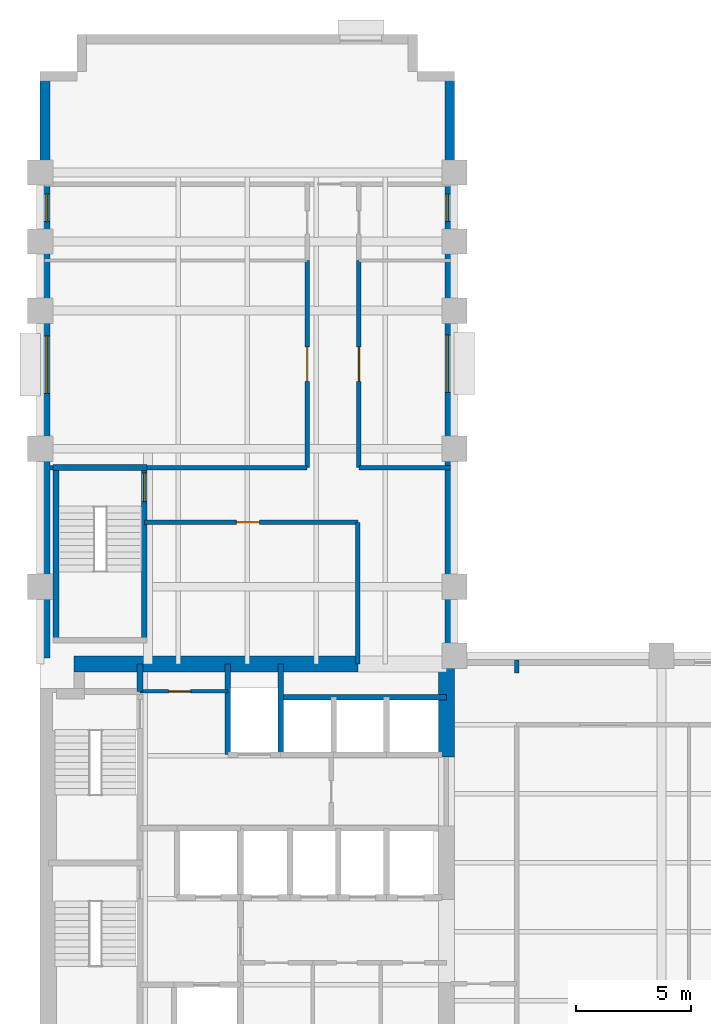
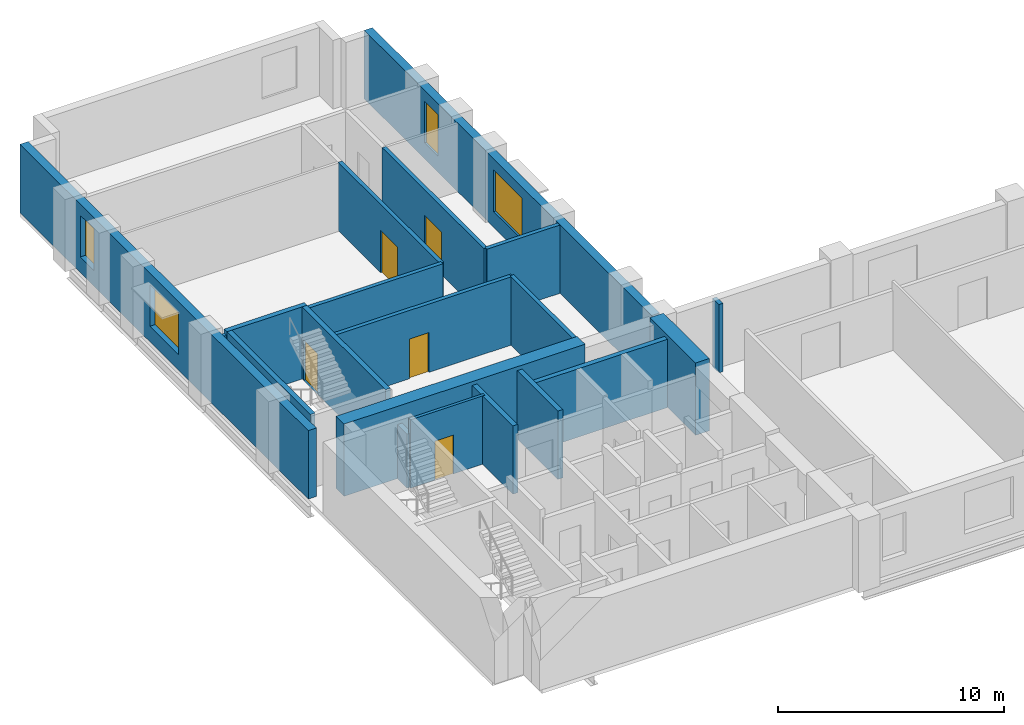
# One storey, part 4 of 8: 20 walls, 5 doors, 4 windows, 9 openings.
"""IFC4 building model written with IfcOpenShell, lengths in metres."""

from ifc_helpers import new_model, si_unit, direction, frame, frame_2d, origin, place, context, subcontext, project, spatial, rectangle, extrude, material, layer, layer_set, type_object, element, fill, save


model = new_model("IFC4")

# Units and contexts
model_context = context("Model", 3, precision=1e-05, world=origin(), true_north=direction((0.0, 1.0)))
body_context = subcontext(model_context, "Body", "Model", "MODEL_VIEW")
ifc_project = project(units=[si_unit("LENGTHUNIT", "METRE"), si_unit("AREAUNIT", "SQUARE_METRE"), si_unit("VOLUMEUNIT", "CUBIC_METRE"), si_unit("PLANEANGLEUNIT", "RADIAN"), si_unit("MASSUNIT", "GRAM", prefix="KILO")], contexts=[model_context])

# Site, building, storey
site_placement = place(None, origin())
site = spatial("IfcSite", under=ifc_project, at=site_placement, CompositionType="ELEMENT")
building_placement = place(site_placement, origin())
building = spatial("IfcBuilding", under=site, at=building_placement, Name="Mawjdan Bourse Tower", CompositionType="ELEMENT")
storey_placement = place(building_placement, frame((0.0, 0.0, 97.199951171875)))
storey = spatial("IfcBuildingStorey", under=building, at=storey_placement, Name="L22", CompositionType="ELEMENT", Elevation=97.199951171875)

# Wall, openings, windows
ifc_material_1 = material(Name="Brick Masonry Buff", Category="masonry")
ifc_layer_1 = layer(ifc_material_1, 0.419921875)
ifc_layer_set_1 = layer_set([ifc_layer_1], Name="Brick Masonry Buff")
wall_type_1 = type_object("IfcWallType", Name="WL-BRK-BUFF-420", PredefinedType="STANDARD", material=ifc_layer_set_1)
wall_1_placement = place(storey_placement, frame((23.7900390625, 21.0, 0.0), z_axis=(0.0, 0.0, 1.0), x_axis=(0.0, 1.0, 0.0)))
wall_1 = element("IfcWall", 1, at=wall_1_placement, inside=storey, type_object=wall_type_1, Name="L22 Exterior Brick Wall 8", PredefinedType="STANDARD", context=body_context, shape_type="SweptSolid", body=[
    extrude(rectangle(XDim=25.39990234375, YDim=0.419921875, at=frame_2d((12.699951171875, 0.0))), origin(), (0.0, 0.0, 1.0), 3.699951171875),
])
opening_1_placement = place(wall_1_placement, frame((11.449951171875, 0.0, 0.85009765625)))
opening_1 = element("IfcOpeningElement", 2, at=opening_1_placement, cuts=wall_1, Name="Opening W-L22-06", PredefinedType="OPENING", context=body_context, shape_type="SweptSolid", body=[
    extrude(rectangle(XDim=2.5, YDim=2.25, at=frame_2d((1.25, 1.125))), frame((0.0, 0.219970703125, 0.0), z_axis=(0.0, -1.0, 0.0), x_axis=(1.0, 0.0, 0.0)), (0.0, 0.0, 1.0), 0.43994140625),
])
opening_2_placement = place(wall_1_placement, frame((18.8662109375, 0.0, 0.85009765625)))
opening_2 = element("IfcOpeningElement", 3, at=opening_2_placement, cuts=wall_1, Name="Opening W-L22-14", PredefinedType="OPENING", context=body_context, shape_type="SweptSolid", body=[
    extrude(rectangle(XDim=1.199951171875, YDim=2.25, at=frame_2d((0.60009765625, 1.125))), frame((0.0, 0.219970703125, 0.0), z_axis=(0.0, -1.0, 0.0), x_axis=(1.0, 0.0, 0.0)), (0.0, 0.0, 1.0), 0.43994140625),
])
ifc_material_2 = material(Name="Solar-Control Clear Double Glazing", Category="glass")
window_type_1 = type_object("IfcWindowType", Name="WN-Z2-1200", PartitioningType="SINGLE_PANEL", PredefinedType="WINDOW", material=ifc_material_2)
window_1_placement = place(opening_2_placement, origin())
window_1 = element("IfcWindow", 4, at=window_1_placement, inside=storey, type_object=window_type_1, Name="L22 Deep-Set Masonry Window W-L22-14", OverallHeight=2.25, OverallWidth=1.199951171875, PartitioningType="SINGLE_PANEL", PredefinedType="WINDOW", context=body_context, shape_type="SweptSolid", body=[
    extrude(rectangle(XDim=1.199951171875, YDim=2.25, at=frame_2d((0.60009765625, 1.125))), frame((0.0, 0.110107421875, 0.0), z_axis=(0.0, -1.0, 0.0), x_axis=(1.0, 0.0, 0.0)), (0.0, 0.0, 1.0), 0.06005859375),
])
fill(opening_2, window_1)
window_type_2 = type_object("IfcWindowType", Name="WN-Z2-2500", PartitioningType="SINGLE_PANEL", PredefinedType="WINDOW", material=ifc_material_2)
window_2_placement = place(opening_1_placement, origin())
window_2 = element("IfcWindow", 5, at=window_2_placement, inside=storey, type_object=window_type_2, Name="L22 Deep-Set Masonry Window W-L22-06", OverallHeight=2.25, OverallWidth=2.5, PartitioningType="SINGLE_PANEL", PredefinedType="WINDOW", context=body_context, shape_type="SweptSolid", body=[
    extrude(rectangle(XDim=2.5, YDim=2.25, at=frame_2d((1.25, 1.125))), frame((0.0, 0.110107421875, 0.0), z_axis=(0.0, -1.0, 0.0), x_axis=(1.0, 0.0, 0.0)), (0.0, 0.0, 1.0), 0.06005859375),
])
fill(opening_1, window_2)

wall_2_placement = place(storey_placement, frame((6.2099609375, 46.39990234375, 0.0), z_axis=(0.0, 0.0, 1.0), x_axis=(0.0, -1.0, 0.0)))
wall_2 = element("IfcWall", 6, at=wall_2_placement, inside=storey, type_object=wall_type_1, Name="L22 Exterior Brick Wall 14", PredefinedType="STANDARD", context=body_context, shape_type="SweptSolid", body=[
    extrude(rectangle(XDim=25.5, YDim=0.419921875, at=frame_2d((12.75, 0.0))), origin(), (0.0, 0.0, 1.0), 3.699951171875),
])
opening_3_placement = place(wall_2_placement, frame((11.5, 0.0, 0.85009765625)))
opening_3 = element("IfcOpeningElement", 7, at=opening_3_placement, cuts=wall_2, Name="Opening W-L22-08", PredefinedType="OPENING", context=body_context, shape_type="SweptSolid", body=[
    extrude(rectangle(XDim=2.5, YDim=2.25, at=frame_2d((1.25, 1.125))), frame((0.0, 0.219970703125, 0.0), z_axis=(0.0, -1.0, 0.0), x_axis=(1.0, 0.0, 0.0)), (0.0, 0.0, 1.0), 0.43994140625),
])
opening_4_placement = place(wall_2_placement, frame((5.336181640625, 0.0, 0.85009765625)))
opening_4 = element("IfcOpeningElement", 8, at=opening_4_placement, cuts=wall_2, Name="Opening W-L22-13", PredefinedType="OPENING", context=body_context, shape_type="SweptSolid", body=[
    extrude(rectangle(XDim=1.199951171875, YDim=2.25, at=frame_2d((0.60009765625, 1.125))), frame((0.0, 0.219970703125, 0.0), z_axis=(0.0, -1.0, 0.0), x_axis=(1.0, 0.0, 0.0)), (0.0, 0.0, 1.0), 0.43994140625),
])
window_3_placement = place(opening_4_placement, origin())
window_3 = element("IfcWindow", 9, at=window_3_placement, inside=storey, type_object=window_type_1, Name="L22 Deep-Set Masonry Window W-L22-13", OverallHeight=2.25, OverallWidth=1.199951171875, PartitioningType="SINGLE_PANEL", PredefinedType="WINDOW", context=body_context, shape_type="SweptSolid", body=[
    extrude(rectangle(XDim=1.199951171875, YDim=2.25, at=frame_2d((0.60009765625, 1.125))), frame((0.0, 0.110107421875, 0.0), z_axis=(0.0, -1.0, 0.0), x_axis=(1.0, 0.0, 0.0)), (0.0, 0.0, 1.0), 0.06005859375),
])
fill(opening_4, window_3)
window_4_placement = place(opening_3_placement, origin())
window_4 = element("IfcWindow", 10, at=window_4_placement, inside=storey, type_object=window_type_2, Name="L22 Deep-Set Masonry Window W-L22-08", OverallHeight=2.25, OverallWidth=2.5, PartitioningType="SINGLE_PANEL", PredefinedType="WINDOW", context=body_context, shape_type="SweptSolid", body=[
    extrude(rectangle(XDim=2.5, YDim=2.25, at=frame_2d((1.25, 1.125))), frame((0.0, 0.110107421875, 0.0), z_axis=(0.0, -1.0, 0.0), x_axis=(1.0, 0.0, 0.0)), (0.0, 0.0, 1.0), 0.06005859375),
])
fill(opening_3, window_4)

# Wall
ifc_material_3 = material(Name="Gypsum Fireboard Assembly")
ifc_layer_2 = layer(ifc_material_3, 0.199951171875)
ifc_layer_set_2 = layer_set([ifc_layer_2], Name="Gypsum Fireboard Assembly")
wall_type_2 = type_object("IfcWallType", Name="WL-CMP-200", PredefinedType="PARTITIONING", material=ifc_layer_set_2)
wall_3_placement = place(storey_placement, frame((26.699951171875, 20.25, 0.0), z_axis=(0.0, 0.0, 1.0), x_axis=(0.0, 1.0, 0.0)))
element("IfcWall", 11, at=wall_3_placement, inside=storey, type_object=wall_type_2, Name="L22 Vestibule North East Wall", PredefinedType="PARTITIONING", context=body_context, shape_type="SweptSolid", body=[
    extrude(rectangle(XDim=0.570068359375, YDim=0.199951171875, at=frame_2d((0.28515625, 0.0))), origin(), (0.0, 0.0, 1.0), 3.68994140625),
])

# Wall, opening, door
wall_4_placement = place(storey_placement, frame((10.52001953125, 26.800048828125, 0.0), z_axis=(0.0, 0.0, 1.0), x_axis=(1.0, 0.0, 0.0)))
wall_4 = element("IfcWall", 12, at=wall_4_placement, inside=storey, type_object=wall_type_2, Name="L22 North Throat North Wall", PredefinedType="PARTITIONING", context=body_context, shape_type="SweptSolid", body=[
    extrude(rectangle(XDim=9.280029296875, YDim=0.199951171875, at=frame_2d((4.64013671875, 0.0))), origin(), (0.0, 0.0, 1.0), 3.68994140625),
])
opening_5_placement = place(wall_4_placement, frame((4.0, 0.0, 0.0)))
opening_5 = element("IfcOpeningElement", 13, at=opening_5_placement, cuts=wall_4, Name="Opening D-L22-26", PredefinedType="OPENING", context=body_context, shape_type="SweptSolid", body=[
    extrude(rectangle(XDim=1.0, YDim=2.14990234375, at=frame_2d((0.5, 1.074951171875))), frame((0.0, 0.10986328125, 0.0), z_axis=(0.0, -1.0, 0.0), x_axis=(1.0, 0.0, 0.0)), (0.0, 0.0, 1.0), 0.219970703125),
])
ifc_material_4 = material(Name="Hardwood Acoustic Leaf", Category="wood")
door_type_1 = type_object("IfcDoorType", Name="DR-OFC-1000", OperationType="NOTDEFINED", PredefinedType="DOOR", material=ifc_material_4)
door_1_placement = place(opening_5_placement, origin())
door_1 = element("IfcDoor", 14, at=door_1_placement, inside=storey, type_object=door_type_1, Name="L22 North Throat Suite Door D-L22-26", OperationType="SINGLE_SWING_LEFT", OverallHeight=2.14990234375, OverallWidth=1.0, PredefinedType="DOOR", context=body_context, shape_type="SweptSolid", body=[
    extrude(rectangle(XDim=1.0, YDim=2.14990234375, at=frame_2d((0.5, 1.074951171875))), frame((0.0, 0.02490234375, 0.0), z_axis=(0.0, -1.0, 0.0), x_axis=(1.0, 0.0, 0.0)), (0.0, 0.0, 1.0), 0.050048828125),
])
fill(opening_5, door_1)

# Walls
wall_5_placement = place(storey_placement, frame((19.800048828125, 20.64990234375, 0.0), z_axis=(0.0, 0.0, 1.0), x_axis=(0.0, 1.0, 0.0)))
element("IfcWall", 15, at=wall_5_placement, inside=storey, type_object=wall_type_2, Name="L22 North Throat East Wall", PredefinedType="PARTITIONING", context=body_context, shape_type="SweptSolid", body=[
    extrude(rectangle(XDim=6.150146484375, YDim=0.199951171875, at=frame_2d((3.0751953125, 0.0))), origin(), (0.0, 0.0, 1.0), 3.68994140625),
])
wall_6_placement = place(storey_placement, frame((6.419921875, 29.179931640625, 0.0), z_axis=(0.0, 0.0, 1.0), x_axis=(1.0, 0.0, 0.0)))
element("IfcWall", 16, at=wall_6_placement, inside=storey, type_object=wall_type_2, Name="L22 North West Band ST3 West Return", PredefinedType="PARTITIONING", context=body_context, shape_type="SweptSolid", body=[
    extrude(rectangle(XDim=0.135009765625, YDim=0.199951171875, at=frame_2d((0.0673828125, 0.0))), origin(), (0.0, 0.0, 1.0), 3.68994140625),
])
wall_7_placement = place(storey_placement, frame((10.6298828125, 29.179931640625, 0.0), z_axis=(0.0, 0.0, 1.0), x_axis=(1.0, 0.0, 0.0)))
element("IfcWall", 17, at=wall_7_placement, inside=storey, type_object=wall_type_2, Name="L22 North West Band South Wall", PredefinedType="PARTITIONING", context=body_context, shape_type="SweptSolid", body=[
    extrude(rectangle(XDim=6.97021484375, YDim=0.199951171875, at=frame_2d((3.485107421875, 0.0))), origin(), (0.0, 0.0, 1.0), 3.68994140625),
])
wall_8_placement = place(storey_placement, frame((19.85009765625, 29.179931640625, 0.0), z_axis=(0.0, 0.0, 1.0), x_axis=(1.0, 0.0, 0.0)))
element("IfcWall", 18, at=wall_8_placement, inside=storey, type_object=wall_type_2, Name="L22 North East Band South Wall", PredefinedType="PARTITIONING", context=body_context, shape_type="SweptSolid", body=[
    extrude(rectangle(XDim=3.969970703125, YDim=0.199951171875, at=frame_2d((1.98486328125, 0.0))), origin(), (0.0, 0.0, 1.0), 3.68994140625),
])

# Wall, opening, door
wall_9_placement = place(storey_placement, frame((17.60009765625, 29.179931640625, 0.0), z_axis=(0.0, 0.0, 1.0), x_axis=(0.0, 1.0, 0.0)))
wall_9 = element("IfcWall", 19, at=wall_9_placement, inside=storey, type_object=wall_type_2, Name="L22 Conference Room Corridor Wall", PredefinedType="PARTITIONING", context=body_context, shape_type="SweptSolid", body=[
    extrude(rectangle(XDim=9.0, YDim=0.199951171875, at=frame_2d((4.5, 0.0))), origin(), (0.0, 0.0, 1.0), 3.68994140625),
])
opening_6_placement = place(wall_9_placement, frame((3.75, 0.0, 0.0)))
opening_6 = element("IfcOpeningElement", 20, at=opening_6_placement, cuts=wall_9, Name="Opening D-L22-27", PredefinedType="OPENING", context=body_context, shape_type="SweptSolid", body=[
    extrude(rectangle(XDim=1.5, YDim=2.300048828125, at=frame_2d((0.75, 1.14990234375))), frame((0.0, 0.10986328125, 0.0), z_axis=(0.0, -1.0, 0.0), x_axis=(1.0, 0.0, 0.0)), (0.0, 0.0, 1.0), 0.219970703125),
])
ifc_material_5 = material(Name="Acoustic Glazed Timber", Category="wood")
door_type_2 = type_object("IfcDoorType", Name="DR-CNF-1500", OperationType="DOUBLE_DOOR_SINGLE_SWING", PredefinedType="DOOR", material=ifc_material_5)
door_2_placement = place(opening_6_placement, origin())
door_2 = element("IfcDoor", 21, at=door_2_placement, inside=storey, type_object=door_type_2, Name="L22 Conference Room Door D-L22-27", OperationType="DOUBLE_DOOR_SINGLE_SWING", OverallHeight=2.300048828125, OverallWidth=1.5, PredefinedType="DOOR", context=body_context, shape_type="SweptSolid", body=[
    extrude(rectangle(XDim=1.5, YDim=2.300048828125, at=frame_2d((0.75, 1.14990234375))), frame((0.0, 0.02490234375, 0.0), z_axis=(0.0, -1.0, 0.0), x_axis=(1.0, 0.0, 0.0)), (0.0, 0.0, 1.0), 0.050048828125),
])
fill(opening_6, door_2)

wall_10_placement = place(storey_placement, frame((19.85009765625, 29.179931640625, 0.0), z_axis=(0.0, 0.0, 1.0), x_axis=(0.0, 1.0, 0.0)))
wall_10 = element("IfcWall", 22, at=wall_10_placement, inside=storey, type_object=wall_type_2, Name="L22 Private Banking Suite Corridor Wall", PredefinedType="PARTITIONING", context=body_context, shape_type="SweptSolid", body=[
    extrude(rectangle(XDim=9.0, YDim=0.199951171875, at=frame_2d((4.5, 0.0))), origin(), (0.0, 0.0, 1.0), 3.68994140625),
])
opening_7_placement = place(wall_10_placement, frame((3.75, 0.0, 0.0)))
opening_7 = element("IfcOpeningElement", 23, at=opening_7_placement, cuts=wall_10, Name="Opening D-L22-29", PredefinedType="OPENING", context=body_context, shape_type="SweptSolid", body=[
    extrude(rectangle(XDim=1.5, YDim=2.300048828125, at=frame_2d((0.75, 1.14990234375))), frame((0.0, 0.10986328125, 0.0), z_axis=(0.0, -1.0, 0.0), x_axis=(1.0, 0.0, 0.0)), (0.0, 0.0, 1.0), 0.219970703125),
])
door_3_placement = place(opening_7_placement, origin())
door_3 = element("IfcDoor", 24, at=door_3_placement, inside=storey, type_object=door_type_2, Name="L22 Private Banking Suite Door D-L22-29", OperationType="DOUBLE_DOOR_SINGLE_SWING", OverallHeight=2.300048828125, OverallWidth=1.5, PredefinedType="DOOR", context=body_context, shape_type="SweptSolid", body=[
    extrude(rectangle(XDim=1.5, YDim=2.300048828125, at=frame_2d((0.75, 1.14990234375))), frame((0.0, 0.02490234375, 0.0), z_axis=(0.0, -1.0, 0.0), x_axis=(1.0, 0.0, 0.0)), (0.0, 0.0, 1.0), 0.050048828125),
])
fill(opening_7, door_3)

# Walls
ifc_material_6 = material(Name="Concrete C70/85", Category="concrete")
ifc_layer_3 = layer(ifc_material_6, 0.699951171875)
ifc_layer_set_3 = layer_set([ifc_layer_3], Name="Concrete C70/85")
wall_type_3 = type_object("IfcWallType", Name="WL-CORE-700", PredefinedType="SHEAR", material=ifc_layer_set_3)
wall_11_placement = place(storey_placement, frame((7.47509765625, 20.64990234375, 0.0), z_axis=(0.0, 0.0, 1.0), x_axis=(1.0, 0.0, 0.0)))
element("IfcWall", 25, at=wall_11_placement, inside=storey, type_object=wall_type_3, Name="L22 Rear Core Shear Wall N", PredefinedType="SHEAR", context=body_context, shape_type="SweptSolid", body=[
    extrude(rectangle(XDim=12.324951171875, YDim=0.699951171875, at=frame_2d((6.16259765625, 0.0))), origin(), (0.0, 0.0, 1.0), 3.900146484375),
])
wall_12_placement = place(storey_placement, frame((23.64990234375, 16.60009765625, 0.0), z_axis=(0.0, 0.0, 1.0), x_axis=(0.0, 1.0, 0.0)))
element("IfcWall", 26, at=wall_12_placement, inside=storey, type_object=wall_type_3, Name="L22 Rear Core Shear Wall E3", PredefinedType="SHEAR", context=body_context, shape_type="SweptSolid", body=[
    extrude(rectangle(XDim=4.0498046875, YDim=0.699951171875, at=frame_2d((2.02490234375, 0.0))), origin(), (0.0, 0.0, 1.0), 3.900146484375),
])

# Wall, opening, door
ifc_material_7 = material(Name="Gypsum Acoustic Partition")
ifc_layer_4 = layer(ifc_material_7, 0.14990234375)
ifc_layer_set_4 = layer_set([ifc_layer_4], Name="Gypsum Acoustic Partition")
wall_type_4 = type_object("IfcWallType", Name="WL-PRT-150", PredefinedType="PARTITIONING", material=ifc_layer_set_4)
wall_13_placement = place(storey_placement, frame((10.330078125, 19.449951171875, 0.0), z_axis=(0.0, 0.0, 1.0), x_axis=(1.0, 0.0, 0.0)))
wall_13 = element("IfcWall", 27, at=wall_13_placement, inside=storey, type_object=wall_type_4, Name="L22 Housekeeping South Wall", PredefinedType="PARTITIONING", context=body_context, shape_type="SweptSolid", body=[
    extrude(rectangle(XDim=3.81982421875, YDim=0.14990234375, at=frame_2d((1.909912109375, 0.0))), origin(), (0.0, 0.0, 1.0), 3.68994140625),
])
opening_8_placement = place(wall_13_placement, frame((1.25, 0.0, 0.0)))
opening_8 = element("IfcOpeningElement", 28, at=opening_8_placement, cuts=wall_13, Name="Opening D-L22-18", PredefinedType="OPENING", context=body_context, shape_type="SweptSolid", body=[
    extrude(rectangle(XDim=0.949951171875, YDim=2.10009765625, at=frame_2d((0.47509765625, 1.050048828125))), frame((0.0, 0.0849609375, 0.0), z_axis=(0.0, -1.0, 0.0), x_axis=(1.0, 0.0, 0.0)), (0.0, 0.0, 1.0), 0.169921875),
])
ifc_material_8 = material(Name="Moisture-Resistant Laminate Timber", Category="wood")
door_type_3 = type_object("IfcDoorType", Name="DR-WET-0950", OperationType="NOTDEFINED", PredefinedType="DOOR", material=ifc_material_8)
door_4_placement = place(opening_8_placement, origin())
door_4 = element("IfcDoor", 29, at=door_4_placement, inside=storey, type_object=door_type_3, Name="L22 Housekeeping Closet Door D-L22-18", OperationType="SINGLE_SWING_LEFT", OverallHeight=2.10009765625, OverallWidth=0.949951171875, PredefinedType="DOOR", context=body_context, shape_type="SweptSolid", body=[
    extrude(rectangle(XDim=0.949951171875, YDim=2.10009765625, at=frame_2d((0.47509765625, 1.050048828125))), frame((0.0, 0.02490234375, 0.0), z_axis=(0.0, -1.0, 0.0), x_axis=(1.0, 0.0, 0.0)), (0.0, 0.0, 1.0), 0.050048828125),
])
fill(opening_8, door_4)

# Walls
ifc_material_9 = material(Name="Concrete C50/60", Category="concrete")
ifc_layer_5 = layer(ifc_material_9, 0.25)
ifc_layer_set_5 = layer_set([ifc_layer_5], Name="Concrete C50/60")
wall_type_5 = type_object("IfcWallType", Name="WL-SHFT-250", PredefinedType="PARTITIONING", material=ifc_layer_set_5)
wall_14_placement = place(storey_placement, frame((10.330078125, 19.449951171875, 0.0), z_axis=(0.0, 0.0, 1.0), x_axis=(0.0, 1.0, 0.0)))
element("IfcWall", 30, at=wall_14_placement, inside=storey, type_object=wall_type_5, Name="L22 NW Riser East Wall", PredefinedType="PARTITIONING", context=body_context, shape_type="SweptSolid", body=[
    extrude(rectangle(XDim=1.199951171875, YDim=0.25, at=frame_2d((0.60009765625, 0.0))), origin(), (0.0, 0.0, 1.0), 2.9169921875),
])
for number, where, z_axis, x_axis, name in (
    (31, (14.14990234375, 16.699951171875, 0.0), (0.0, 0.0, 1.0), (0.0, 1.0, 0.0), "L22 SVL-01 West Shaft Wall"),
    (32, (16.449951171875, 16.699951171875, 0.0), (0.0, 0.0, 1.0), (0.0, 1.0, 0.0), "L22 SVL-01 East Shaft Wall"),
):
    element("IfcWall", number, at=place(storey_placement, frame(where, z_axis=z_axis, x_axis=x_axis)), inside=storey, type_object=wall_type_5, Name=name, PredefinedType="PARTITIONING", context=body_context, shape_type="SweptSolid", body=[
        extrude(rectangle(XDim=3.949951171875, YDim=0.25, at=frame_2d((1.97509765625, 0.0))), origin(), (0.0, 0.0, 1.0), 3.68994140625),
    ])
wall_15_placement = place(storey_placement, frame((16.449951171875, 19.199951171875, 0.0), z_axis=(0.0, 0.0, 1.0), x_axis=(1.0, 0.0, 0.0)))
element("IfcWall", 33, at=wall_15_placement, inside=storey, type_object=wall_type_5, Name="L22 PH Bank North Shaft Back Wall", PredefinedType="PARTITIONING", context=body_context, shape_type="SweptSolid", body=[
    extrude(rectangle(XDim=7.199951171875, YDim=0.25, at=frame_2d((3.60009765625, 0.0))), origin(), (0.0, 0.0, 1.0), 3.68994140625),
])
ifc_layer_6 = layer(ifc_material_9, 0.25)
ifc_layer_set_6 = layer_set([ifc_layer_6], Name="Concrete C50/60")
wall_type_6 = type_object("IfcWallType", Name="WL-STRW-250", PredefinedType="SHEAR", material=ifc_layer_set_6)
wall_16_placement = place(storey_placement, frame((6.554931640625, 29.179931640625, 0.0), z_axis=(0.0, 0.0, 1.0), x_axis=(1.0, 0.0, 0.0)))
element("IfcWall", 34, at=wall_16_placement, inside=storey, type_object=wall_type_6, Name="L22 ST3 North Shaft Wall", PredefinedType="SHEAR", context=body_context, shape_type="SweptSolid", body=[
    extrude(rectangle(XDim=4.090087890625, YDim=0.25, at=frame_2d((2.044921875, 0.0))), origin(), (0.0, 0.0, 1.0), 3.900146484375),
])
wall_17_placement = place(storey_placement, frame((6.679931640625, 21.679931640625, 0.0), z_axis=(0.0, 0.0, 1.0), x_axis=(0.0, 1.0, 0.0)))
element("IfcWall", 35, at=wall_17_placement, inside=storey, type_object=wall_type_6, Name="L22 ST3 West Shaft Wall", PredefinedType="SHEAR", context=body_context, shape_type="SweptSolid", body=[
    extrude(rectangle(XDim=7.5, YDim=0.25, at=frame_2d((3.75, 0.0))), origin(), (0.0, 0.0, 1.0), 3.900146484375),
])

# Wall, opening, door
wall_18_placement = place(storey_placement, frame((10.52001953125, 21.679931640625, 0.0), z_axis=(0.0, 0.0, 1.0), x_axis=(0.0, 1.0, 0.0)))
wall_18 = element("IfcWall", 36, at=wall_18_placement, inside=storey, type_object=wall_type_6, Name="L22 ST3 East Shaft Wall", PredefinedType="SHEAR", context=body_context, shape_type="SweptSolid", body=[
    extrude(rectangle(XDim=7.5, YDim=0.25, at=frame_2d((3.75, 0.0))), origin(), (0.0, 0.0, 1.0), 3.900146484375),
])
opening_9_placement = place(wall_18_placement, frame((6.02001953125, 0.0, 0.0)))
opening_9 = element("IfcOpeningElement", 37, at=opening_9_placement, cuts=wall_18, Name="Opening SD-L22-19", PredefinedType="OPENING", context=body_context, shape_type="SweptSolid", body=[
    extrude(rectangle(XDim=1.25, YDim=2.199951171875, at=frame_2d((0.625, 1.10009765625))), frame((0.0, 0.135009765625, 0.0), z_axis=(0.0, -1.0, 0.0), x_axis=(1.0, 0.0, 0.0)), (0.0, 0.0, 1.0), 0.27001953125),
])
ifc_material_10 = material(Name="Fire-Rated Steel Leaf", Category="steel")
door_type_4 = type_object("IfcDoorType", Name="FD-ST-1250", OperationType="NOTDEFINED", PredefinedType="DOOR", material=ifc_material_10)
door_5_placement = place(opening_9_placement, origin())
door_5 = element("IfcDoor", 38, at=door_5_placement, inside=storey, type_object=door_type_4, Name="L22 Stair ST3 Fire Door SD-L22-19", OperationType="SINGLE_SWING_RIGHT", OverallHeight=2.199951171875, OverallWidth=1.25, PredefinedType="DOOR", context=body_context, shape_type="SweptSolid", body=[
    extrude(rectangle(XDim=1.25, YDim=2.199951171875, at=frame_2d((0.625, 1.10009765625))), frame((0.0, 0.02490234375, 0.0), z_axis=(0.0, -1.0, 0.0), x_axis=(1.0, 0.0, 0.0)), (0.0, 0.0, 1.0), 0.050048828125),
])
fill(opening_9, door_5)

save(model, "model.ifc")
